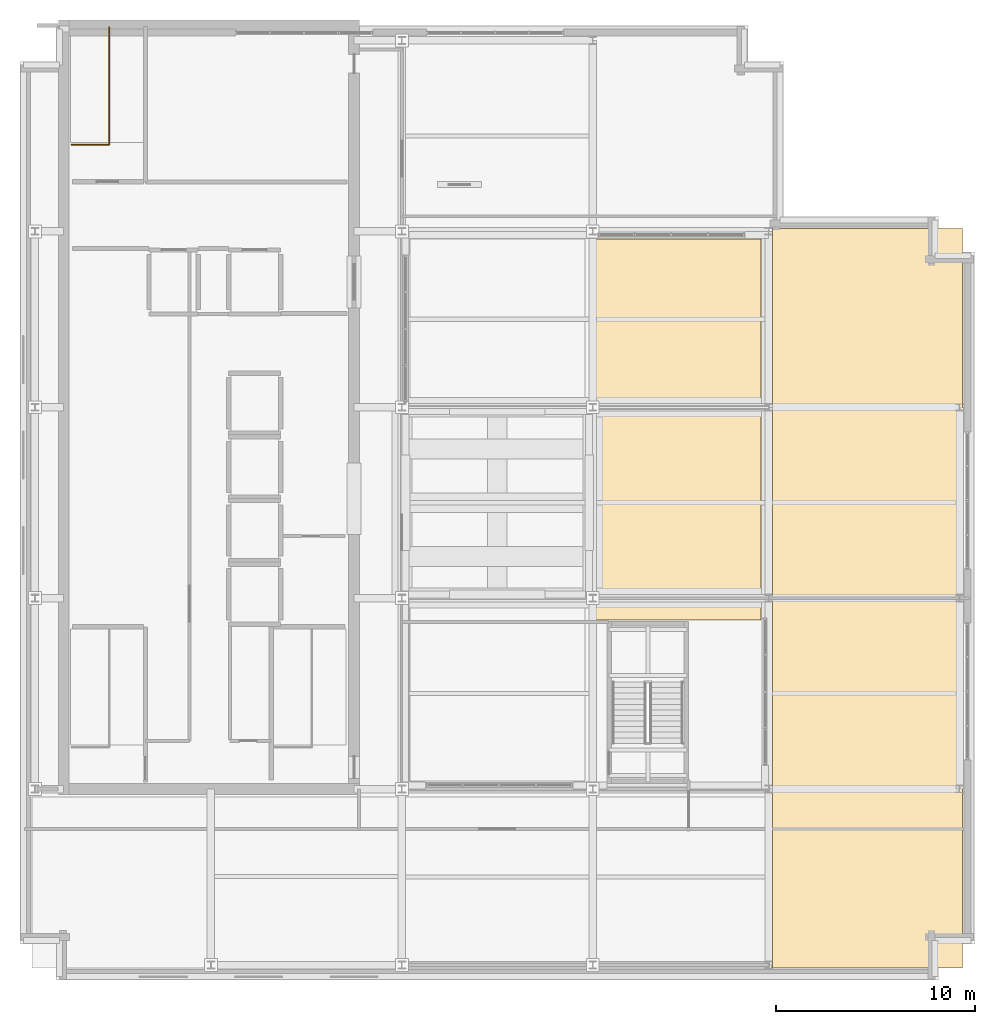
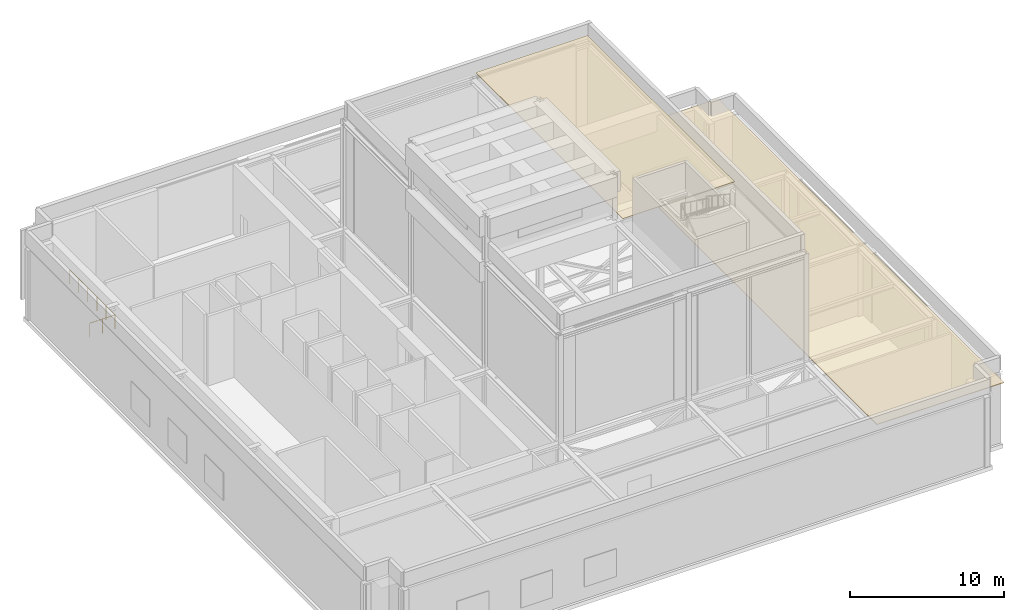
# One storey, part 17 of 17: 2 coverings, 1 railing.
"""IFC4 building model written with IfcOpenShell, lengths in metres."""

import ifcopenshell
import ifcopenshell.guid

model = None  # the IFC model being written
_history = None  # IfcOwnerHistory: only IFC2X3 demands one
_inside = {}  # id of a spatial element -> (the spatial element, [elements in it])
_under = {}  # id of a project, library or spatial element -> (it, [spatial elements below it])
_declared = {}  # id of a project -> (the project, [libraries it declares])
_typed = {}  # id of a type object -> (the type object, [elements of that type])
_made_of = {}  # id of a material, layer set ... -> (it, [elements and type objects made of it])


def new_model(schema):
    """Start an empty IFC model of exactly this schema.

    Asked for "IFC4X3", IfcOpenShell would pick the latest addendum, in which some entities
    have other attributes; the version numbers below select the first issue.
    IFC2X3 requires an IfcOwnerHistory on every rooted entity: one is made here for all.
    """
    global model, _history
    if schema == "IFC4X3":
        model = ifcopenshell.file(schema_version=(4, 3, 0, 0))
    else:
        model = ifcopenshell.file(schema=schema)
    _inside.clear()
    _under.clear()
    _declared.clear()
    _typed.clear()
    _made_of.clear()
    _history = None
    if model.schema == "IFC2X3":
        org = make("IfcOrganization", Name="unknown")
        user = make(
            "IfcPersonAndOrganization",
            ThePerson=make("IfcPerson", FamilyName="unknown"),
            TheOrganization=org,
        )
        app = make(
            "IfcApplication",
            ApplicationDeveloper=org,
            Version="unknown",
            ApplicationFullName="unknown",
            ApplicationIdentifier="unknown",
        )
        _history = make(
            "IfcOwnerHistory",
            OwningUser=user,
            OwningApplication=app,
            ChangeAction="ADDED",
            CreationDate=0,
        )
    return model


def make(cls, **values):
    """One entity of the class cls with the attributes given. An attribute that is None is left unset."""
    return model.create_entity(
        cls, **{name: value for name, value in values.items() if value is not None}
    )


def rooted(cls, **values):
    """An entity with a GlobalId (a new one), such as an element, a storey or a relation."""
    return make(cls, GlobalId=ifcopenshell.guid.new(), OwnerHistory=_history, **values)


def si_unit(unit_type, name, prefix=None):
    """IfcSIUnit, for example si_unit("LENGTHUNIT", "METRE", prefix="MILLI")."""
    return make("IfcSIUnit", UnitType=unit_type, Prefix=prefix, Name=name)


def assignment(units):
    """IfcUnitAssignment: the units of a project."""
    return None if units is None else make("IfcUnitAssignment", Units=units)


def point(xyz):
    """IfcCartesianPoint."""
    return None if xyz is None else make("IfcCartesianPoint", Coordinates=xyz)


def direction(xyz):
    """IfcDirection."""
    return None if xyz is None else make("IfcDirection", DirectionRatios=xyz)


def frame(location, z_axis=None, x_axis=None):
    """IfcAxis2Placement3D, a coordinate frame: its origin and axes. An axis left out is left unset."""
    return make(
        "IfcAxis2Placement3D",
        Location=point(location),
        Axis=direction(z_axis),
        RefDirection=direction(x_axis),
    )


def frame_2d(location, x_axis=None):
    """IfcAxis2Placement2D, a coordinate frame in the plane: its origin and x axis."""
    return make(
        "IfcAxis2Placement2D", Location=point(location), RefDirection=direction(x_axis)
    )


def origin():
    """The frame at (0, 0, 0) with its axes left unset."""
    return frame((0.0, 0.0, 0.0))


def origin_2d():
    """The frame at (0, 0) in the plane with its x axis left unset."""
    return frame_2d((0.0, 0.0))


def place(relative_to, where):
    """IfcLocalPlacement: puts the frame where relative to a parent placement (None: the world)."""
    return make(
        "IfcLocalPlacement", PlacementRelTo=relative_to, RelativePlacement=where
    )


def context(
    kind, dimensions, precision=None, world=None, true_north=None, identifier=None
):
    """IfcGeometricRepresentationContext, for example the 3D "Model" context."""
    return make(
        "IfcGeometricRepresentationContext",
        ContextIdentifier=identifier,
        ContextType=kind,
        CoordinateSpaceDimension=dimensions,
        Precision=precision,
        WorldCoordinateSystem=world,
        TrueNorth=true_north,
    )


def subcontext(parent, identifier, kind, view, scale=None):
    """IfcGeometricRepresentationSubContext, for example "Body" below "Model"."""
    return make(
        "IfcGeometricRepresentationSubContext",
        ContextIdentifier=identifier,
        ContextType=kind,
        ParentContext=parent,
        TargetScale=scale,
        TargetView=view,
    )


def project(units=None, contexts=None):
    """IfcProject with its units and contexts."""
    return rooted(
        "IfcProject",
        Name="project",
        RepresentationContexts=contexts,
        UnitsInContext=assignment(units),
    )


def spatial(cls, under=None, at=None, **own):
    """A site, building, storey or space (cls), placed at a placement, below another one or the project."""
    s = rooted(cls, ObjectPlacement=at, **own)
    if under is not None:
        _under.setdefault(under.id(), (under, []))[1].append(s)
    return s


def polyline(points):
    """IfcPolyline through the points."""
    return make("IfcPolyline", Points=[point(p) for p in points])


def profile(cls, at=None, kind="AREA", **sizes):
    """A parametric profile (cls). Its sizes go by their IFC names, for example OverallWidth=200.0."""
    return make(cls, ProfileType=kind, Position=at, **sizes)


def circle(**sizes):
    """IfcCircleProfileDef."""
    return profile("IfcCircleProfileDef", **sizes)


def outline(outer, holes=None, kind="AREA"):
    """IfcArbitraryClosedProfileDef: a profile drawn as a closed curve; with holes, ...WithVoids."""
    if holes is None:
        return make("IfcArbitraryClosedProfileDef", ProfileType=kind, OuterCurve=outer)
    return make(
        "IfcArbitraryProfileDefWithVoids",
        ProfileType=kind,
        OuterCurve=outer,
        InnerCurves=holes,
    )


def extrude(swept, where, along, depth):
    """IfcExtrudedAreaSolid: the profile swept, set in the frame where, extruded along a direction by depth."""
    return make(
        "IfcExtrudedAreaSolid",
        SweptArea=swept,
        Position=where,
        ExtrudedDirection=direction(along),
        Depth=depth,
    )


def shape(context_of_items, identifier, shape_type, items):
    """IfcShapeRepresentation: the items that make up one representation, for example the "Body"."""
    return make(
        "IfcShapeRepresentation",
        ContextOfItems=context_of_items,
        RepresentationIdentifier=identifier,
        RepresentationType=shape_type,
        Items=items,
    )


def material(Name=None, Category=None):
    """IfcMaterial."""
    return make("IfcMaterial", Name=Name, Category=Category)


def layer(
    of_material, thickness, ventilated=None, Name=None, Category=None, Priority=None
):
    """IfcMaterialLayer: one layer of a wall or slab, of a material (None: an air gap)."""
    return make(
        "IfcMaterialLayer",
        Material=of_material,
        LayerThickness=thickness,
        IsVentilated=ventilated,
        Name=Name,
        Category=Category,
        Priority=Priority,
    )


def layer_set(layers, Name=None):
    """IfcMaterialLayerSet."""
    return make("IfcMaterialLayerSet", MaterialLayers=layers, LayerSetName=Name)


def made_of(thing, what):
    """Note that an element or type object is made of a material, layer set ...; save() writes the relation."""
    if what is not None:
        _made_of.setdefault(what.id(), (what, []))[1].append(thing)
    return thing


def type_object(cls, material=None, **own):
    """A type object (cls), such as IfcWallType, which elements share."""
    return made_of(rooted(cls, **own), material)


def element(
    cls,
    number,
    at=None,
    inside=None,
    cuts=None,
    type_object=None,
    material=None,
    context=None,
    identifier="Body",
    shape_type=None,
    held_by="IfcProductDefinitionShape",
    body=None,
    shapes=None,
    **own,
):
    """One element of the class cls, such as IfcWall. Its Tag is "e" and its number.

    at: its placement. inside: the storey or other place that contains it. cuts: it is an
    opening in that element (IfcRelVoidsElement). A single representation is given by context,
    identifier, shape_type and body (its items); several are given by shapes. held_by: the class
    of the entity that holds the representations. save() writes the other relations.
    """
    e = rooted(cls, Tag="e%d" % number, ObjectPlacement=at, **own)
    if body is not None:
        shapes = [shape(context, identifier, shape_type, body)]
    if shapes is not None:
        e.Representation = make(held_by, Representations=shapes)
    if inside is not None:
        _inside.setdefault(inside.id(), (inside, []))[1].append(e)
    if cuts is not None:
        rooted(
            "IfcRelVoidsElement", RelatingBuildingElement=cuts, RelatedOpeningElement=e
        )
    if type_object is not None:
        _typed.setdefault(type_object.id(), (type_object, []))[1].append(e)
    return made_of(e, material)


def aggregate(whole, parts):
    """IfcRelAggregates: a whole, such as a stair, and the parts it consists of."""
    return rooted("IfcRelAggregates", RelatingObject=whole, RelatedObjects=parts)


def save(model, path):
    """Write the relations noted so far, then the file.

    IfcRelAggregates (storeys below a building ...), IfcRelContainedInSpatialStructure (elements
    in a storey), IfcRelDefinesByType, IfcRelAssociatesMaterial and IfcRelDeclares: one each for
    every whole, place, type object, material and project.
    """
    for whole, parts in _under.values():
        aggregate(whole, parts)
    for where, things in _inside.values():
        rooted(
            "IfcRelContainedInSpatialStructure",
            RelatedElements=things,
            RelatingStructure=where,
        )
    for kind, things in _typed.values():
        rooted("IfcRelDefinesByType", RelatedObjects=things, RelatingType=kind)
    for what, things in _made_of.values():
        rooted("IfcRelAssociatesMaterial", RelatedObjects=things, RelatingMaterial=what)
    for by, libraries in _declared.values():
        rooted("IfcRelDeclares", RelatingContext=by, RelatedDefinitions=libraries)
    model.write(path)


model = new_model("IFC4")

# Units and contexts
model_context = context("Model", 3, precision=1e-05, world=origin(), true_north=direction((0.0, 1.0)))
body_context = subcontext(model_context, "Body", "Model", "MODEL_VIEW")
ifc_project = project(units=[si_unit("LENGTHUNIT", "METRE"), si_unit("AREAUNIT", "SQUARE_METRE"), si_unit("VOLUMEUNIT", "CUBIC_METRE"), si_unit("PLANEANGLEUNIT", "RADIAN"), si_unit("MASSUNIT", "GRAM", prefix="KILO")], contexts=[model_context])

# Site, building, storey
site_placement = place(None, origin())
site = spatial("IfcSite", under=ifc_project, at=site_placement, CompositionType="ELEMENT")
building_placement = place(site_placement, origin())
building = spatial("IfcBuilding", under=site, at=building_placement, Name="Norrvale University Quadrangle", CompositionType="ELEMENT")
storey_placement = place(building_placement, frame((0.0, 0.0, 308.0)))
storey = spatial("IfcBuildingStorey", under=building, at=storey_placement, Name="L78", CompositionType="ELEMENT", Elevation=308.0)

# Coverings
ifc_material_1 = material(Name="Inverted EPDM Roofing Membrane")
ifc_layer = layer(ifc_material_1, 0.044921875, Name="Inverted EPDM Roofing Membrane")
ifc_layer_set = layer_set([ifc_layer], Name="Inverted EPDM Roofing Membrane")
covering_type = type_object("IfcCoveringType", Name="Covering Roof Membrane 45", PredefinedType="ROOFING", material=ifc_layer_set)
covering_1_placement = place(storey_placement, frame((0.0, 0.0, 5.800048828125)))
element("IfcCovering", 1, at=covering_1_placement, inside=storey, type_object=covering_type, Name="Crown Waterproofing Membrane 2", PredefinedType="ROOFING", context=body_context, shape_type="SweptSolid", body=[
    extrude(outline(polyline([(37.85009765625, 0.60009765625), (47.39990234375, 0.60009765625), (47.39990234375, 37.800048828125), (37.85009765625, 37.800048828125), (37.85009765625, 0.60009765625)])), origin(), (0.0, 0.0, 1.0), 0.044921875),
])
covering_2_placement = place(storey_placement, frame((0.0, 0.0, 14.699951171875)))
element("IfcCovering", 2, at=covering_2_placement, inside=storey, type_object=covering_type, Name="Crown Waterproofing Membrane 3", PredefinedType="ROOFING", context=body_context, shape_type="SweptSolid", body=[
    extrude(outline(polyline([(28.85009765625, 18.10009765625), (37.25, 18.10009765625), (37.25, 37.25), (28.85009765625, 37.25), (28.85009765625, 18.10009765625)])), origin(), (0.0, 0.0, 1.0), 0.045166015625),
])

# Railing
ifc_material_2 = material(Name="Steel 350W Painted Balustrade", Category="steel")
railing_type = type_object("IfcRailingType", Name="Railing Stair Guard 1100", PredefinedType="GUARDRAIL", material=ifc_material_2)
railing_placement = place(storey_placement, frame((2.590087890625, 42.010009765625, 0.0)))
element("IfcRailing", 3, at=railing_placement, inside=storey, type_object=railing_type, Name="Top Stairwell Guard ST-02 L78", PredefinedType="GUARDRAIL", context=body_context, shape_type="SweptSolid", body=[
    extrude(circle(Radius=0.02392578125, at=origin_2d()), frame((0.0, 0.0, 1.1259765625), z_axis=(1.0, 0.0, 0.0), x_axis=(0.0, 1.0, 0.0)), (0.0, 0.0, 1.0), 1.889892578125),
    extrude(circle(Radius=0.02392578125, at=origin_2d()), frame((1.889892578125, 0.0, 1.1259765625), z_axis=(0.0, 1.0, 0.0), x_axis=(-1.0, 0.0, 0.0)), (0.0, 0.0, 1.0), 5.89990234375),
    extrude(circle(Radius=0.02099609375, at=origin_2d()), origin(), (0.0, 0.0, 1.0), 1.101806640625),
    extrude(circle(Radius=0.02099609375, at=origin_2d()), frame((0.94482421875, 0.0, 0.0)), (0.0, 0.0, 1.0), 1.101806640625),
    extrude(circle(Radius=0.02099609375, at=origin_2d()), frame((1.889892578125, 0.0, 0.0)), (0.0, 0.0, 1.0), 1.101806640625),
    extrude(circle(Radius=0.02099609375, at=origin_2d()), frame((1.889892578125, 1.179931640625, 0.0)), (0.0, 0.0, 1.0), 1.101806640625),
    extrude(circle(Radius=0.02099609375, at=origin_2d()), frame((1.889892578125, 2.35986328125, 0.0)), (0.0, 0.0, 1.0), 1.101806640625),
    extrude(circle(Radius=0.02099609375, at=origin_2d()), frame((1.889892578125, 3.5400390625, 0.0)), (0.0, 0.0, 1.0), 1.101806640625),
    extrude(circle(Radius=0.02099609375, at=origin_2d()), frame((1.889892578125, 4.719970703125, 0.0)), (0.0, 0.0, 1.0), 1.101806640625),
    extrude(circle(Radius=0.02099609375, at=origin_2d()), frame((1.889892578125, 5.89990234375, 0.0)), (0.0, 0.0, 1.0), 1.101806640625),
])

save(model, "model.ifc")
